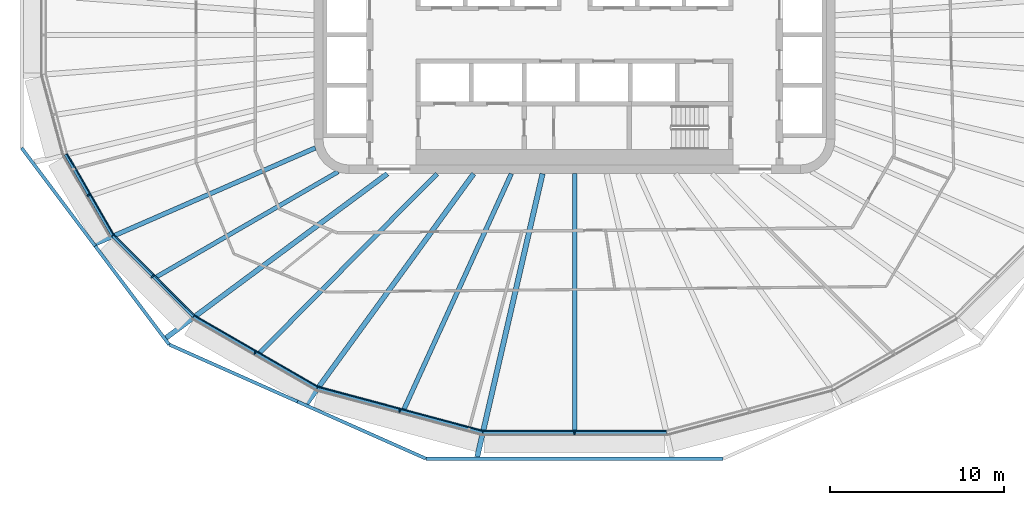
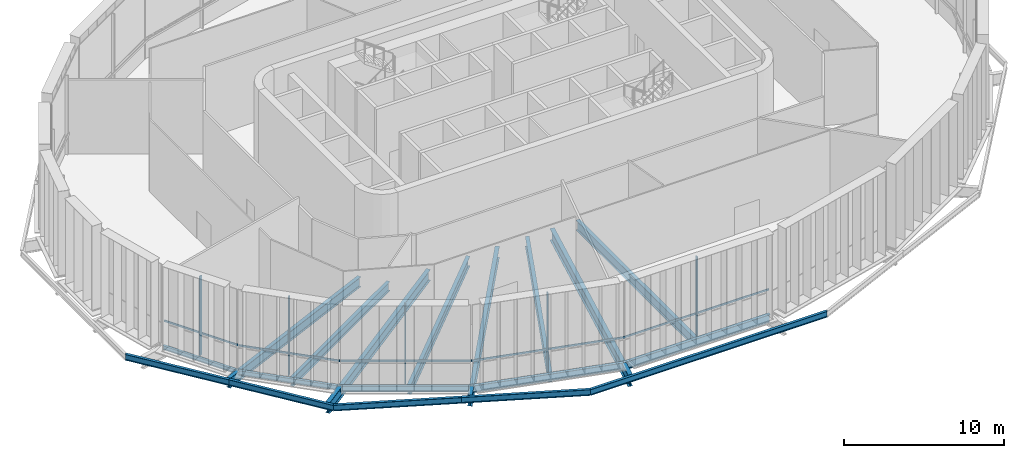
# One storey, part 1 of 18: 18 beams, 10 members, 5 elements without a shape of their own.
"""IFC4 building model written with IfcOpenShell, lengths in metres."""

from ifc_helpers import new_model, si_unit, direction, frame, origin, origin_2d, place, context, subcontext, project, spatial, rectangle, i_section, extrude, material, layer, layer_set, material_profile, profile_set, type_object, element, aggregate, save


model = new_model("IFC4")

# Units and contexts
model_context = context("Model", 3, precision=1e-05, world=origin(), true_north=direction((0.0, 1.0)))
body_context = subcontext(model_context, "Body", "Model", "MODEL_VIEW")
ifc_project = project(units=[si_unit("LENGTHUNIT", "METRE"), si_unit("AREAUNIT", "SQUARE_METRE"), si_unit("VOLUMEUNIT", "CUBIC_METRE"), si_unit("PLANEANGLEUNIT", "RADIAN"), si_unit("MASSUNIT", "GRAM", prefix="KILO")], contexts=[model_context])

# Site, building, storey
site_placement = place(None, origin())
site = spatial("IfcSite", under=ifc_project, at=site_placement, CompositionType="ELEMENT")
building_placement = place(site_placement, origin())
building = spatial("IfcBuilding", under=site, at=building_placement, Name="Sahrelin Media Tower", CompositionType="ELEMENT")
storey_placement = place(building_placement, frame((0.0, 0.0, 203.0)))
storey = spatial("IfcBuildingStorey", under=building, at=storey_placement, Name="L43", CompositionType="ELEMENT", Elevation=203.0)

# Beams
ifc_material_1 = material(Name="Steel S355", Category="steel")
ifc_material_profile_1 = material_profile(ifc_material_1, i_section(OverallWidth=0.1650390625, OverallDepth=0.303466796875, WebThickness=0.006103515625, FlangeThickness=0.01025390625, FilletRadius=0.0087890625, at=origin_2d()), Name="UB 305x165x40")
ifc_profile_set_1 = profile_set([ifc_material_profile_1], Name="Steel S355")
beam_type_1 = type_object("IfcBeamType", Name="Edge beam EB2", PredefinedType="BEAM", material=ifc_profile_set_1)
beam_1_placement = place(storey_placement, frame((-26.626708984375, -11.5576171875, -0.351806640625), z_axis=(-0.500004571255, 0.866022764553, 0.0), x_axis=(-0.866022764553, -0.500004571255, 0.0)))
element("IfcBeam", 1, at=beam_1_placement, inside=storey, type_object=beam_type_1, Name="Edge beam L43-11", PredefinedType="BEAM", context=body_context, shape_type="SweptSolid", body=[
    extrude(i_section(OverallWidth=0.1650390625, OverallDepth=0.303466796875, WebThickness=0.006103515625, FlangeThickness=0.01025390625, FilletRadius=0.0087890625, at=origin_2d()), origin(), (0.0, 0.0, 1.0), 5.3935546875),
])
ifc_material_profile_2 = material_profile(ifc_material_1, i_section(OverallWidth=0.17138671875, OverallDepth=0.35498046875, WebThickness=0.00732421875, FlangeThickness=0.011474609375, FilletRadius=0.01025390625, at=origin_2d()), Name="UB 356x171x51")
ifc_profile_set_2 = profile_set([ifc_material_profile_2], Name="Steel S355")
beam_type_2 = type_object("IfcBeamType", Name="Edge beam EB3", PredefinedType="BEAM", material=ifc_profile_set_2)
beam_2_placement = place(storey_placement, frame((-21.9658203125, -16.223876953125, -0.37744140625), z_axis=(-0.707106781187, 0.707106781187, 0.0), x_axis=(-0.707106781187, -0.707106781187, 0.0)))
element("IfcBeam", 2, at=beam_2_placement, inside=storey, type_object=beam_type_2, Name="Edge beam L43-10", PredefinedType="BEAM", context=body_context, shape_type="SweptSolid", body=[
    extrude(i_section(OverallWidth=0.17138671875, OverallDepth=0.35498046875, WebThickness=0.00732421875, FlangeThickness=0.011474609375, FilletRadius=0.01025390625, at=origin_2d()), origin(), (0.0, 0.0, 1.0), 6.566650390625),
])
ifc_material_profile_3 = material_profile(ifc_material_1, i_section(OverallWidth=0.1904296875, OverallDepth=0.45703125, WebThickness=0.009033203125, FlangeThickness=0.014404296875, FilletRadius=0.01025390625, at=origin_2d()), Name="UB 457x191x74")
ifc_profile_set_3 = profile_set([ifc_material_profile_3], Name="Steel S355")
beam_type_3 = type_object("IfcBeamType", Name="Edge beam EB5", PredefinedType="BEAM", material=ifc_profile_set_3)
beam_3_placement = place(storey_placement, frame((-14.841796875, -20.34130859375, -0.428466796875), z_axis=(-0.866017504342, 0.500013681986, 0.0), x_axis=(-0.500013681986, -0.866017504342, 0.0)))
element("IfcBeam", 3, at=beam_3_placement, inside=storey, type_object=beam_type_3, Name="Edge beam L43-09", PredefinedType="BEAM", context=body_context, shape_type="SweptSolid", body=[
    extrude(i_section(OverallWidth=0.1904296875, OverallDepth=0.45703125, WebThickness=0.009033203125, FlangeThickness=0.014404296875, FilletRadius=0.01025390625, at=origin_2d()), origin(), (0.0, 0.0, 1.0), 8.199951171875),
])
ifc_material_profile_4 = material_profile(ifc_material_1, i_section(OverallWidth=0.208740234375, OverallDepth=0.5283203125, WebThickness=0.009521484375, FlangeThickness=0.01318359375, FilletRadius=0.0126953125, at=origin_2d()), Name="UB 533x210x82")
ifc_profile_set_4 = profile_set([ifc_material_profile_4], Name="Steel S355")
beam_type_4 = type_object("IfcBeamType", Name="Edge beam EB6", PredefinedType="BEAM", material=ifc_profile_set_4)
beam_4_placement = place(storey_placement, frame((-5.31201171875, -22.898681640625, -0.464111328125), z_axis=(-0.965925344351, 0.258820843714, 0.0), x_axis=(-0.258820843714, -0.965925344351, 0.0)))
element("IfcBeam", 4, at=beam_4_placement, inside=storey, type_object=beam_type_4, Name="Edge beam L43-08", PredefinedType="BEAM", context=body_context, shape_type="SweptSolid", body=[
    extrude(i_section(OverallWidth=0.208740234375, OverallDepth=0.5283203125, WebThickness=0.009521484375, FlangeThickness=0.01318359375, FilletRadius=0.0126953125, at=origin_2d()), origin(), (0.0, 0.0, 1.0), 9.83837890625),
])
ifc_material_profile_5 = material_profile(ifc_material_1, i_section(OverallWidth=0.2275390625, OverallDepth=0.6025390625, WebThickness=0.010498046875, FlangeThickness=0.014892578125, FilletRadius=0.0126953125, at=origin_2d()), Name="UB 610x229x101")
ifc_profile_set_5 = profile_set([ifc_material_profile_5], Name="Steel S355")
beam_type_5 = type_object("IfcBeamType", Name="Edge beam EB7", PredefinedType="BEAM", material=ifc_profile_set_5)
beam_5_placement = place(storey_placement, frame((5.283447265625, -22.90234375, -0.501220703125), z_axis=(-1.0, 0.0, 0.0), x_axis=(0.0, -1.0, 0.0)))
element("IfcBeam", 5, at=beam_5_placement, inside=storey, type_object=beam_type_5, Name="Edge beam L43-07", PredefinedType="BEAM", context=body_context, shape_type="SweptSolid", body=[
    extrude(i_section(OverallWidth=0.2275390625, OverallDepth=0.6025390625, WebThickness=0.010498046875, FlangeThickness=0.014892578125, FilletRadius=0.0126953125, at=origin_2d()), origin(), (0.0, 0.0, 1.0), 10.56689453125),
])

# Curtain wall, member
ifc_material_2 = material(Name="Champagne anodised aluminium 6063-T6", Category="aluminium")
ifc_layer = layer(ifc_material_2, 0.14990234375)
ifc_layer_set = layer_set([ifc_layer], Name="Sky lobby curtain wall")
curtain_wall_type = type_object("IfcCurtainWallType", Name="Sky lobby curtain wall", PredefinedType="NOTDEFINED", material=ifc_layer_set)
curtain_wall_1_placement = place(storey_placement, frame((-28.10498046875, -9.297119140625, 0.0), z_axis=(0.0, 0.0, 1.0), x_axis=(1.0, 0.0, 0.0)))
curtain_wall_1 = element("IfcCurtainWall", 6, at=curtain_wall_1_placement, inside=storey, type_object=curtain_wall_type, Name="L43:CW:L43-14", PredefinedType="NOTDEFINED")
ifc_material_profile_6 = material_profile(ifc_material_2, rectangle(XDim=0.080078125, YDim=0.199951171875, at=origin_2d()), Name="Mullion 80x200")
ifc_profile_set_6 = profile_set([ifc_material_profile_6], Name="Champagne anodised aluminium 6063-T6")
member_type_1 = type_object("IfcMemberType", Name="Mullion 80x200 CW2", PredefinedType="MULLION", material=ifc_profile_set_6)
member_1_placement = place(storey_placement, frame((-28.001220703125, -9.2373046875, 0.0), z_axis=(0.0, 0.0, 1.0), x_axis=(0.500003022996, -0.86602365845, 0.0)))
member_1 = element("IfcMember", 7, at=member_1_placement, type_object=member_type_1, Name="L43:CWM:L43-14", PredefinedType="MULLION", context=body_context, shape_type="SweptSolid", body=[
    extrude(rectangle(XDim=0.080078125, YDim=0.199951171875, at=origin_2d()), origin(), (0.0, 0.0, 1.0), 6.048583984375),
])

curtain_wall_2_placement = place(storey_placement, frame((-24.3935546875, -14.00830078125, 0.0), z_axis=(0.0, 0.0, 1.0), x_axis=(1.0, 0.0, 0.0)))
curtain_wall_2 = element("IfcCurtainWall", 8, at=curtain_wall_2_placement, inside=storey, type_object=curtain_wall_type, Name="L43:CW:L43-15", PredefinedType="NOTDEFINED")
member_2_placement = place(storey_placement, frame((-24.30859375, -13.92333984375, 0.0), z_axis=(0.0, 0.0, 1.0), x_axis=(0.707106781187, -0.707106781187, 0.0)))
member_2 = element("IfcMember", 9, at=member_2_placement, type_object=member_type_1, Name="L43:CWM:L43-15", PredefinedType="MULLION", context=body_context, shape_type="SweptSolid", body=[
    extrude(rectangle(XDim=0.080078125, YDim=0.199951171875, at=origin_2d()), origin(), (0.0, 0.0, 1.0), 6.048583984375),
])

curtain_wall_3_placement = place(storey_placement, frame((-18.46728515625, -18.421142578125, 0.0), z_axis=(0.0, 0.0, 1.0), x_axis=(1.0, 0.0, 0.0)))
curtain_wall_3 = element("IfcCurtainWall", 10, at=curtain_wall_3_placement, inside=storey, type_object=curtain_wall_type, Name="L43:CW:L43-16", PredefinedType="NOTDEFINED")
member_3_placement = place(storey_placement, frame((-18.407470703125, -18.3173828125, 0.0), z_axis=(0.0, 0.0, 1.0), x_axis=(0.866027149108, -0.499996976998, 0.0)))
member_3 = element("IfcMember", 11, at=member_3_placement, type_object=member_type_1, Name="L43:CWM:L43-16", PredefinedType="MULLION", context=body_context, shape_type="SweptSolid", body=[
    extrude(rectangle(XDim=0.080078125, YDim=0.199951171875, at=origin_2d()), origin(), (0.0, 0.0, 1.0), 6.048583984375),
])

curtain_wall_4_placement = place(storey_placement, frame((-10.102294921875, -21.770263671875, 0.0), z_axis=(0.0, 0.0, 1.0), x_axis=(1.0, 0.0, 0.0)))
curtain_wall_4 = element("IfcCurtainWall", 12, at=curtain_wall_4_placement, inside=storey, type_object=curtain_wall_type, Name="L43:CW:L43-17", PredefinedType="NOTDEFINED")
member_4_placement = place(storey_placement, frame((-10.0712890625, -21.654296875, 0.0), z_axis=(0.0, 0.0, 1.0), x_axis=(0.965924922834, -0.258822416818, 0.0)))
member_4 = element("IfcMember", 13, at=member_4_placement, type_object=member_type_1, Name="L43:CWM:L43-17", PredefinedType="MULLION", context=body_context, shape_type="SweptSolid", body=[
    extrude(rectangle(XDim=0.080078125, YDim=0.199951171875, at=origin_2d()), origin(), (0.0, 0.0, 1.0), 6.048583984375),
])

curtain_wall_5_placement = place(storey_placement, frame((0.0, -23.052490234375, 0.0), z_axis=(0.0, 0.0, 1.0), x_axis=(1.0, 0.0, 0.0)))
curtain_wall_5 = element("IfcCurtainWall", 14, at=curtain_wall_5_placement, inside=storey, type_object=curtain_wall_type, Name="L43:CW:L43-18", PredefinedType="NOTDEFINED")
member_5_placement = place(storey_placement, frame((0.0, -22.932373046875, 0.0), z_axis=(0.0, 0.0, 1.0), x_axis=(1.0, 0.0, 0.0)))
member_5 = element("IfcMember", 15, at=member_5_placement, type_object=member_type_1, Name="L43:CWM:L43-18", PredefinedType="MULLION", context=body_context, shape_type="SweptSolid", body=[
    extrude(rectangle(XDim=0.080078125, YDim=0.199951171875, at=origin_2d()), origin(), (0.0, 0.0, 1.0), 6.048583984375),
])

# Beams
ifc_material_profile_7 = material_profile(ifc_material_1, i_section(OverallWidth=0.291748046875, OverallDepth=0.8349609375, WebThickness=0.013916015625, FlangeThickness=0.018798828125, FilletRadius=0.017822265625, at=origin_2d()), Name="UB 838x292x176")
ifc_profile_set_7 = profile_set([ifc_material_profile_7], Name="Steel S355")
beam_type_6 = type_object("IfcBeamType", Name="Radial primary beam PB10", PredefinedType="BEAM", material=ifc_profile_set_7)
beam_6_placement = place(storey_placement, frame((-10.78515625, -8.0, -0.617431640625), z_axis=(-0.803161934707, -0.595760779708, 0.0), x_axis=(0.595760779708, -0.803161934707, 0.0)))
element("IfcBeam", 16, at=beam_6_placement, inside=storey, type_object=beam_type_6, Name="Radial beam L43-16", PredefinedType="BEAM", context=body_context, shape_type="SweptSolid", body=[
    extrude(i_section(OverallWidth=0.291748046875, OverallDepth=0.8349609375, WebThickness=0.013916015625, FlangeThickness=0.018798828125, FilletRadius=0.017822265625, at=origin_2d()), origin(), (0.0, 0.0, 1.0), 15.862060546875),
])
beam_7_placement = place(storey_placement, frame((-5.81298828125, -8.0, -0.617431640625), z_axis=(-0.587812672257, -0.808997071895, 0.0), x_axis=(0.808997071895, -0.587812672257, 0.0)))
element("IfcBeam", 17, at=beam_7_placement, inside=storey, type_object=beam_type_6, Name="Radial beam L43-17", PredefinedType="BEAM", context=body_context, shape_type="SweptSolid", body=[
    extrude(i_section(OverallWidth=0.291748046875, OverallDepth=0.8349609375, WebThickness=0.013916015625, FlangeThickness=0.018798828125, FilletRadius=0.017822265625, at=origin_2d()), origin(), (0.0, 0.0, 1.0), 16.3779296875),
])
ifc_material_profile_8 = material_profile(ifc_material_1, i_section(OverallWidth=0.30322265625, OverallDepth=0.903076171875, WebThickness=0.01513671875, FlangeThickness=0.020263671875, FilletRadius=0.01904296875, at=origin_2d()), Name="UB 914x305x201")
ifc_profile_set_8 = profile_set([ifc_material_profile_8], Name="Steel S355")
beam_type_7 = type_object("IfcBeamType", Name="Radial primary beam PB11", PredefinedType="BEAM", material=ifc_profile_set_8)
beam_8_placement = place(storey_placement, frame((-1.845458984375, -8.0, -0.651611328125), z_axis=(-0.224776450288, -0.97441035883, 0.0), x_axis=(0.97441035883, -0.224776450288, 0.0)))
element("IfcBeam", 18, at=beam_8_placement, inside=storey, type_object=beam_type_7, Name="Radial beam L43-18", PredefinedType="BEAM", context=body_context, shape_type="SweptSolid", body=[
    extrude(i_section(OverallWidth=0.30322265625, OverallDepth=0.903076171875, WebThickness=0.01513671875, FlangeThickness=0.020263671875, FilletRadius=0.01904296875, at=origin_2d()), origin(), (0.0, 0.0, 1.0), 16.7451171875),
])
ifc_material_profile_9 = material_profile(ifc_material_1, i_section(OverallWidth=0.26513671875, OverallDepth=0.75390625, WebThickness=0.0126953125, FlangeThickness=0.017578125, FilletRadius=0.0166015625, at=origin_2d()), Name="UB 762x267x147")
ifc_profile_set_9 = profile_set([ifc_material_profile_9], Name="Steel S355")
beam_type_8 = type_object("IfcBeamType", Name="Radial primary beam PB9", PredefinedType="BEAM", material=ifc_profile_set_9)
beam_9_placement = place(storey_placement, frame((-14.9326171875, -6.5126953125, -0.576904296875), z_axis=(-0.916606423673, -0.399790775384, 0.0), x_axis=(0.399790775384, -0.916606423673, 0.0)))
element("IfcBeam", 19, at=beam_9_placement, inside=storey, type_object=beam_type_8, Name="Radial beam L43-15", PredefinedType="BEAM", context=body_context, shape_type="SweptSolid", body=[
    extrude(i_section(OverallWidth=0.26513671875, OverallDepth=0.75390625, WebThickness=0.0126953125, FlangeThickness=0.017578125, FilletRadius=0.0166015625, at=origin_2d()), origin(), (0.0, 0.0, 1.0), 13.806640625),
])
ifc_material_profile_10 = material_profile(ifc_material_1, i_section(OverallWidth=0.2529296875, OverallDepth=0.677978515625, WebThickness=0.01171875, FlangeThickness=0.01611328125, FilletRadius=0.01513671875, at=origin_2d()), Name="UB 686x254x125")
ifc_profile_set_10 = profile_set([ifc_material_profile_10], Name="Steel S355")
beam_type_9 = type_object("IfcBeamType", Name="Radial secondary beam SB8", PredefinedType="BEAM", material=ifc_profile_set_10)
beam_10_placement = place(storey_placement, frame((-13.625244140625, -7.88720703125, -0.538818359375), z_axis=(-0.86545065699, -0.500994171938, 0.0), x_axis=(0.500994171938, -0.86545065699, 0.0)))
element("IfcBeam", 20, at=beam_10_placement, inside=storey, type_object=beam_type_9, Name="Secondary beam L43-15", PredefinedType="BEAM", context=body_context, shape_type="SweptSolid", body=[
    extrude(i_section(OverallWidth=0.2529296875, OverallDepth=0.677978515625, WebThickness=0.01171875, FlangeThickness=0.01611328125, FilletRadius=0.01513671875, at=origin_2d()), origin(), (0.0, 0.0, 1.0), 12.115966796875),
])
ifc_material_profile_11 = material_profile(ifc_material_1, i_section(OverallWidth=0.26513671875, OverallDepth=0.75390625, WebThickness=0.0126953125, FlangeThickness=0.017578125, FilletRadius=0.0166015625, at=origin_2d()), Name="UB 762x267x147")
ifc_profile_set_11 = profile_set([ifc_material_profile_11], Name="Steel S355")
beam_type_10 = type_object("IfcBeamType", Name="Radial secondary beam SB9", PredefinedType="BEAM", material=ifc_profile_set_11)
beam_11_placement = place(storey_placement, frame((-7.921630859375, -8.0, -0.576904296875), z_axis=(-0.70361995026, -0.710576502283, 0.0), x_axis=(0.710576502283, -0.70361995026, 0.0)))
element("IfcBeam", 21, at=beam_11_placement, inside=storey, type_object=beam_type_10, Name="Secondary beam L43-16", PredefinedType="BEAM", context=body_context, shape_type="SweptSolid", body=[
    extrude(i_section(OverallWidth=0.26513671875, OverallDepth=0.75390625, WebThickness=0.0126953125, FlangeThickness=0.017578125, FilletRadius=0.0166015625, at=origin_2d()), origin(), (0.0, 0.0, 1.0), 14.529296875),
])
beam_12_placement = place(storey_placement, frame((-3.645263671875, -8.0, -0.576904296875), z_axis=(-0.414626182867, -0.909991828799, 0.0), x_axis=(0.909991828799, -0.414626182867, 0.0)))
element("IfcBeam", 22, at=beam_12_placement, inside=storey, type_object=beam_type_10, Name="Secondary beam L43-17", PredefinedType="BEAM", context=body_context, shape_type="SweptSolid", body=[
    extrude(i_section(OverallWidth=0.26513671875, OverallDepth=0.75390625, WebThickness=0.0126953125, FlangeThickness=0.017578125, FilletRadius=0.0166015625, at=origin_2d()), origin(), (0.0, 0.0, 1.0), 14.922607421875),
])
beam_13_placement = place(storey_placement, frame((0.0, -8.0, -0.576904296875), z_axis=(0.0, -1.0, 0.0), x_axis=(1.0, 0.0, 0.0)))
element("IfcBeam", 23, at=beam_13_placement, inside=storey, type_object=beam_type_10, Name="Secondary beam L43-18", PredefinedType="BEAM", context=body_context, shape_type="SweptSolid", body=[
    extrude(i_section(OverallWidth=0.26513671875, OverallDepth=0.75390625, WebThickness=0.0126953125, FlangeThickness=0.017578125, FilletRadius=0.0166015625, at=origin_2d()), origin(), (0.0, 0.0, 1.0), 14.78857421875),
])
ifc_material_profile_12 = material_profile(ifc_material_1, i_section(OverallWidth=0.1904296875, OverallDepth=0.45703125, WebThickness=0.009033203125, FlangeThickness=0.014404296875, FilletRadius=0.01025390625, at=origin_2d()), Name="UB 457x191x74")
ifc_profile_set_12 = profile_set([ifc_material_profile_12], Name="Steel S355")
beam_type_11 = type_object("IfcBeamType", Name="Tie chord TC5", PredefinedType="BEAM", material=ifc_profile_set_12)
beam_14_placement = place(storey_placement, frame((8.55859375, -24.411865234375, -0.428466796875), z_axis=(-1.0, 0.0, 0.0), x_axis=(0.0, -1.0, 0.0)))
element("IfcBeam", 24, at=beam_14_placement, inside=storey, type_object=beam_type_11, Name="Tie chord L43-06", PredefinedType="BEAM", context=body_context, shape_type="SweptSolid", body=[
    extrude(i_section(OverallWidth=0.1904296875, OverallDepth=0.45703125, WebThickness=0.009033203125, FlangeThickness=0.014404296875, FilletRadius=0.01025390625, at=origin_2d()), origin(), (0.0, 0.0, 1.0), 17.1171875),
])
beam_15_placement = place(storey_placement, frame((-8.55859375, -24.411865234375, -0.428466796875), z_axis=(-0.91383514844, 0.406085362301, 0.0), x_axis=(-0.406085362301, -0.91383514844, 0.0)))
element("IfcBeam", 25, at=beam_15_placement, inside=storey, type_object=beam_type_11, Name="Tie chord L43-07", PredefinedType="BEAM", context=body_context, shape_type="SweptSolid", body=[
    extrude(i_section(OverallWidth=0.1904296875, OverallDepth=0.45703125, WebThickness=0.009033203125, FlangeThickness=0.014404296875, FilletRadius=0.01025390625, at=origin_2d()), origin(), (0.0, 0.0, 1.0), 8.104736328125),
])
beam_16_placement = place(storey_placement, frame((-15.965087890625, -21.12060546875, -0.428466796875), z_axis=(-0.913836451226, 0.406082430562, 0.0), x_axis=(-0.406082430562, -0.913836451226, 0.0)))
element("IfcBeam", 26, at=beam_16_placement, inside=storey, type_object=beam_type_11, Name="Tie chord L43-08", PredefinedType="BEAM", context=body_context, shape_type="SweptSolid", body=[
    extrude(i_section(OverallWidth=0.1904296875, OverallDepth=0.45703125, WebThickness=0.009033203125, FlangeThickness=0.014404296875, FilletRadius=0.01025390625, at=origin_2d()), origin(), (0.0, 0.0, 1.0), 8.0849609375),
])
beam_17_placement = place(storey_placement, frame((-23.353515625, -17.83740234375, -0.428466796875), z_axis=(-0.5999724685, 0.800020647885, 0.0), x_axis=(-0.800020647885, -0.5999724685, 0.0)))
element("IfcBeam", 27, at=beam_17_placement, inside=storey, type_object=beam_type_11, Name="Tie chord L43-09", PredefinedType="BEAM", context=body_context, shape_type="SweptSolid", body=[
    extrude(i_section(OverallWidth=0.1904296875, OverallDepth=0.45703125, WebThickness=0.009033203125, FlangeThickness=0.014404296875, FilletRadius=0.01025390625, at=origin_2d()), origin(), (0.0, 0.0, 1.0), 7.09423828125),
])
beam_18_placement = place(storey_placement, frame((-27.60986328125, -12.161865234375, -0.428466796875), z_axis=(-0.600071899734, 0.799946070151, 0.0), x_axis=(-0.799946070151, -0.600071899734, 0.0)))
element("IfcBeam", 28, at=beam_18_placement, inside=storey, type_object=beam_type_11, Name="Tie chord L43-10", PredefinedType="BEAM", context=body_context, shape_type="SweptSolid", body=[
    extrude(i_section(OverallWidth=0.1904296875, OverallDepth=0.45703125, WebThickness=0.009033203125, FlangeThickness=0.014404296875, FilletRadius=0.01025390625, at=origin_2d()), origin(), (0.0, 0.0, 1.0), 7.0625),
])

# Member
ifc_material_profile_13 = material_profile(ifc_material_2, rectangle(XDim=0.06005859375, YDim=0.139892578125, at=origin_2d()), Name="Transom 60x140")
ifc_profile_set_13 = profile_set([ifc_material_profile_13], Name="Champagne anodised aluminium 6063-T6")
member_type_2 = type_object("IfcMemberType", Name="Transom 60x140 CW2", PredefinedType="USERDEFINED", material=ifc_profile_set_13)
member_6_placement = place(storey_placement, frame((-29.22900390625, -6.850341796875, 1.60009765625), z_axis=(0.499993097703, -0.866029388791, 0.0), x_axis=(0.866029388791, 0.499993097703, 0.0)))
member_6 = element("IfcMember", 29, at=member_6_placement, type_object=member_type_2, Name="L43:CWT:L43-14", ObjectType="TRANSOM", PredefinedType="USERDEFINED", context=body_context, shape_type="SweptSolid", body=[
    extrude(rectangle(XDim=0.06005859375, YDim=0.139892578125, at=origin_2d()), origin(), (0.0, 0.0, 1.0), 5.36181640625),
])

aggregate(curtain_wall_1, [member_1, member_6])

member_7_placement = place(storey_placement, frame((-26.52734375, -11.52099609375, 1.60009765625), z_axis=(0.707106781187, -0.707106781187, 0.0), x_axis=(0.707106781187, 0.707106781187, 0.0)))
member_7 = element("IfcMember", 30, at=member_7_placement, type_object=member_type_2, Name="L43:CWT:L43-15", ObjectType="TRANSOM", PredefinedType="USERDEFINED", context=body_context, shape_type="SweptSolid", body=[
    extrude(rectangle(XDim=0.06005859375, YDim=0.139892578125, at=origin_2d()), origin(), (0.0, 0.0, 1.0), 6.53515625),
])

aggregate(curtain_wall_2, [member_2, member_7])

member_8_placement = place(storey_placement, frame((-21.87939453125, -16.16259765625, 1.60009765625), z_axis=(0.866021832376, -0.500006185809, 0.0), x_axis=(0.500006185809, 0.866021832376, 0.0)))
member_8 = element("IfcMember", 31, at=member_8_placement, type_object=member_type_2, Name="L43:CWT:L43-16", ObjectType="TRANSOM", PredefinedType="USERDEFINED", context=body_context, shape_type="SweptSolid", body=[
    extrude(rectangle(XDim=0.06005859375, YDim=0.139892578125, at=origin_2d()), origin(), (0.0, 0.0, 1.0), 8.16845703125),
])

aggregate(curtain_wall_3, [member_3, member_8])

member_9_placement = place(storey_placement, frame((-14.77392578125, -20.259765625, 1.60009765625), z_axis=(0.9659206025, -0.258838539761, 0.0), x_axis=(0.258838539761, 0.9659206025, 0.0)))
member_9 = element("IfcMember", 32, at=member_9_placement, type_object=member_type_2, Name="L43:CWT:L43-17", ObjectType="TRANSOM", PredefinedType="USERDEFINED", context=body_context, shape_type="SweptSolid", body=[
    extrude(rectangle(XDim=0.06005859375, YDim=0.139892578125, at=origin_2d()), origin(), (0.0, 0.0, 1.0), 9.806640625),
])

aggregate(curtain_wall_4, [member_4, member_9])

member_10_placement = place(storey_placement, frame((-5.267822265625, -22.802490234375, 1.60009765625), z_axis=(1.0, 0.0, 0.0), x_axis=(0.0, 1.0, 0.0)))
member_10 = element("IfcMember", 33, at=member_10_placement, type_object=member_type_2, Name="L43:CWT:L43-18", ObjectType="TRANSOM", PredefinedType="USERDEFINED", context=body_context, shape_type="SweptSolid", body=[
    extrude(rectangle(XDim=0.06005859375, YDim=0.139892578125, at=origin_2d()), origin(), (0.0, 0.0, 1.0), 10.53564453125),
])

aggregate(curtain_wall_5, [member_5, member_10])

save(model, "model.ifc")
